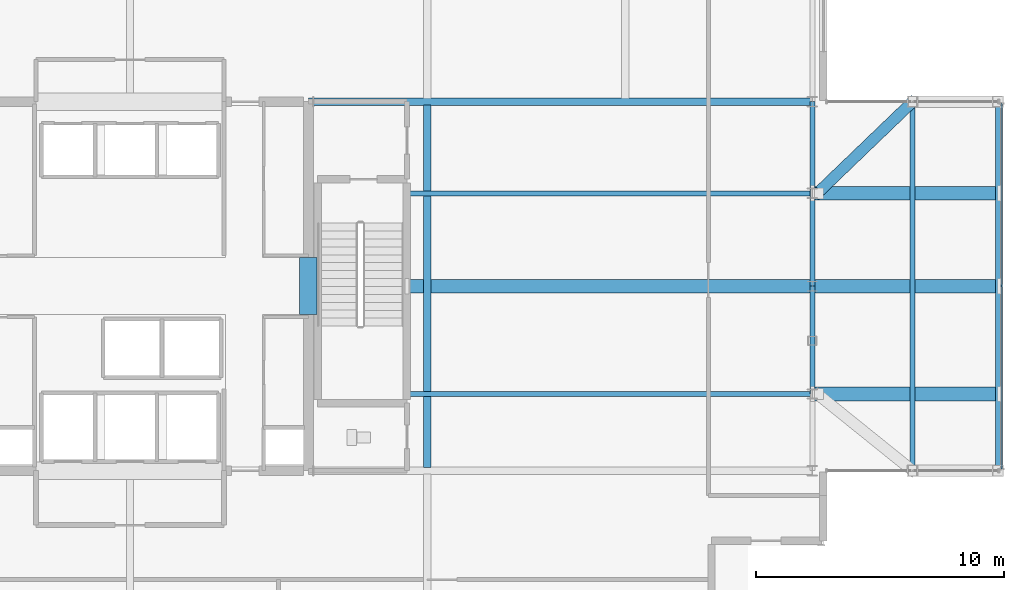
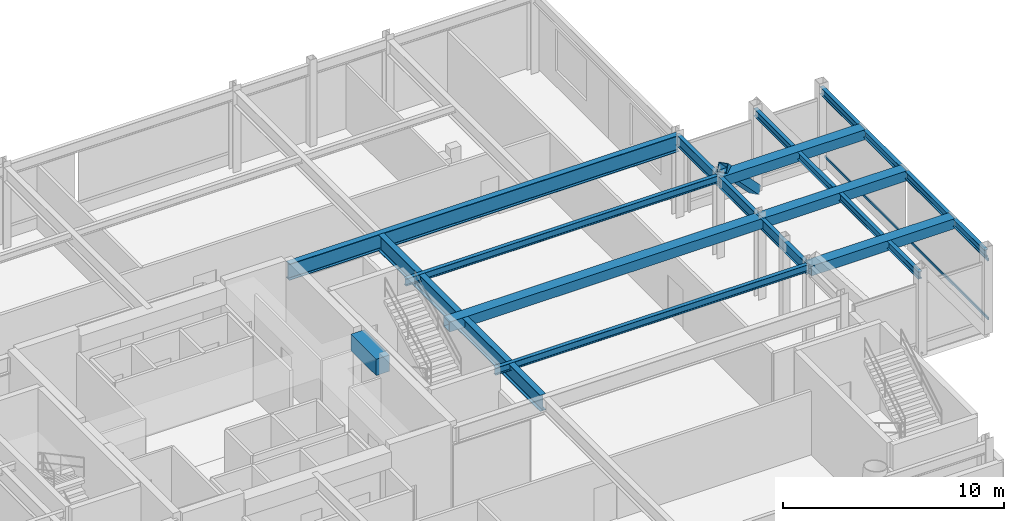
# One storey, part 11 of 26: 14 beams, 5 members, 1 element without a shape of its own.
"""IFC4 building model written with IfcOpenShell, lengths in metres."""

from ifc_helpers import new_model, si_unit, direction, frame, origin, origin_2d, place, context, subcontext, project, spatial, rectangle, hollow_rectangle, i_section, extrude, material, layer, layer_set, material_profile, profile_set, type_object, element, aggregate, save


model = new_model("IFC4")

# Units and contexts
model_context = context("Model", 3, precision=1e-05, world=origin(), true_north=direction((0.0, 1.0)))
body_context = subcontext(model_context, "Body", "Model", "MODEL_VIEW")
ifc_project = project(units=[si_unit("LENGTHUNIT", "METRE"), si_unit("AREAUNIT", "SQUARE_METRE"), si_unit("VOLUMEUNIT", "CUBIC_METRE"), si_unit("PLANEANGLEUNIT", "RADIAN"), si_unit("MASSUNIT", "GRAM", prefix="KILO")], contexts=[model_context])

# Site, building, storey
site_placement = place(None, origin())
site = spatial("IfcSite", under=ifc_project, at=site_placement, CompositionType="ELEMENT")
building_placement = place(site_placement, origin())
building = spatial("IfcBuilding", under=site, at=building_placement, Name="Veldorina Hangang Commons", CompositionType="ELEMENT")
storey_placement = place(building_placement, frame((0.0, 0.0, 5.199951171875)))
storey = spatial("IfcBuildingStorey", under=building, at=storey_placement, Name="L01", CompositionType="ELEMENT", Elevation=5.199951171875)

# Beams
ifc_material_1 = material(Name="Concrete C70/85", Category="concrete")
ifc_material_profile_1 = material_profile(ifc_material_1, rectangle(XDim=0.699951171875, YDim=0.89990234375, at=origin_2d()), Name="RC-CB-700x900")
ifc_profile_set_1 = profile_set([ifc_material_profile_1], Name="Concrete C70/85")
beam_type_1 = type_object("IfcBeamType", Name="BM-CB900", PredefinedType="LINTEL", material=ifc_profile_set_1)
beam_1_placement = place(storey_placement, frame((39.199951171875, 22.85009765625, 4.050048828125), z_axis=(0.0, 1.0, 0.0), x_axis=(-1.0, 0.0, 0.0)))
element("IfcBeam", 1, at=beam_1_placement, inside=storey, type_object=beam_type_1, Name="L01 E core coupling lintel beam", PredefinedType="LINTEL", context=body_context, shape_type="SweptSolid", body=[
    extrude(rectangle(XDim=0.699951171875, YDim=0.89990234375, at=origin_2d()), origin(), (0.0, 0.0, 1.0), 2.2998046875),
])
ifc_material_2 = material(Name="Steel SM420-TMC", Category="steel")
ifc_material_profile_2 = material_profile(ifc_material_2, hollow_rectangle(XDim=0.550048828125, YDim=0.550048828125, WallThickness=0.02490234375, at=origin_2d()), Name="BOX-550x550x25")
ifc_profile_set_2 = profile_set([ifc_material_profile_2], Name="Steel SM420-TMC")
beam_type_2 = type_object("IfcBeamType", Name="BM-CNT550", PredefinedType="BEAM", material=ifc_profile_set_2)
beam_2_placement = place(storey_placement, frame((59.550048828125, 19.64990234375, 4.22509765625), z_axis=(1.0, 0.0, 0.0), x_axis=(0.0, 1.0, 0.0)))
element("IfcBeam", 2, at=beam_2_placement, inside=storey, type_object=beam_type_2, Name="L01 lounge cantilever girder S", PredefinedType="BEAM", context=body_context, shape_type="SweptSolid", body=[
    extrude(hollow_rectangle(XDim=0.550048828125, YDim=0.550048828125, WallThickness=0.02490234375, at=origin_2d()), origin(), (0.0, 0.0, 1.0), 7.5),
])
beam_3_placement = place(storey_placement, frame((43.179931640625, 24.0, 4.22509765625), z_axis=(1.0, 0.0, 0.0), x_axis=(0.0, 1.0, 0.0)))
element("IfcBeam", 3, at=beam_3_placement, inside=storey, type_object=beam_type_2, Name="L01 lounge cantilever backspan girder M", PredefinedType="BEAM", context=body_context, shape_type="SweptSolid", body=[
    extrude(hollow_rectangle(XDim=0.550048828125, YDim=0.550048828125, WallThickness=0.02490234375, at=origin_2d()), origin(), (0.0, 0.0, 1.0), 16.3701171875),
])
for number, where, z_axis, x_axis, name in (
    (4, (59.550048828125, 24.0, 4.22509765625), (1.0, 0.0, 0.0), (0.0, 1.0, 0.0), "L01 lounge cantilever girder M"),
    (5, (59.550048828125, 27.75, 4.22509765625), (1.0, 0.0, 0.0), (0.0, 1.0, 0.0), "L01 lounge cantilever girder N"),
):
    element("IfcBeam", number, at=place(storey_placement, frame(where, z_axis=z_axis, x_axis=x_axis)), inside=storey, type_object=beam_type_2, Name=name, PredefinedType="BEAM", context=body_context, shape_type="SweptSolid", body=[
        extrude(hollow_rectangle(XDim=0.550048828125, YDim=0.550048828125, WallThickness=0.02490234375, at=origin_2d()), origin(), (0.0, 0.0, 1.0), 7.5),
    ])
ifc_material_3 = material(Name="Steel SM355-TMC", Category="steel")
ifc_material_profile_3 = material_profile(ifc_material_3, i_section(OverallWidth=0.199951171875, OverallDepth=0.39990234375, WebThickness=0.008056640625, FlangeThickness=0.012939453125, FilletRadius=0.012939453125, at=origin_2d()), Name="H-400x200x8x13")
ifc_profile_set_3 = profile_set([ifc_material_profile_3], Name="Steel SM355-TMC")
beam_type_3 = type_object("IfcBeamType", Name="BM-FG400", PredefinedType="BEAM", material=ifc_profile_set_3)
for number, where, z_axis, x_axis, name in (
    (6, (63.60009765625, 16.550048828125, 4.300048828125), (0.0, 1.0, 0.0), (-1.0, 0.0, 0.0), "L01 lounge cantilever tie beam MID"),
    (7, (67.050048828125, 16.550048828125, 4.300048828125), (0.0, 1.0, 0.0), (-1.0, 0.0, 0.0), "L01 lounge cantilever tie beam TIP"),
):
    element("IfcBeam", number, at=place(storey_placement, frame(where, z_axis=z_axis, x_axis=x_axis)), inside=storey, type_object=beam_type_3, Name=name, PredefinedType="BEAM", context=body_context, shape_type="SweptSolid", body=[
        extrude(i_section(OverallWidth=0.199951171875, OverallDepth=0.39990234375, WebThickness=0.008056640625, FlangeThickness=0.012939453125, FilletRadius=0.012939453125, at=origin_2d()), origin(), (0.0, 0.0, 1.0), 14.89990234375),
    ])
ifc_material_profile_4 = material_profile(ifc_material_3, i_section(OverallWidth=0.199951171875, OverallDepth=0.39990234375, WebThickness=0.008056640625, FlangeThickness=0.012939453125, FilletRadius=0.012939453125, at=origin_2d()), Name="H-400x200x8x13")
ifc_profile_set_4 = profile_set([ifc_material_profile_4], Name="Steel SM355-TMC")
beam_type_4 = type_object("IfcBeamType", Name="BM-JST400", PredefinedType="JOIST", material=ifc_profile_set_4)
for number, where, z_axis, x_axis, name in (
    (8, (43.179931640625, 19.64990234375, 4.300048828125), (1.0, 0.0, 0.0), (0.0, 1.0, 0.0), "L01 east floor joist 1"),
    (9, (43.179931640625, 27.75, 4.300048828125), (1.0, 0.0, 0.0), (0.0, 1.0, 0.0), "L01 east floor joist 3"),
):
    element("IfcBeam", number, at=place(storey_placement, frame(where, z_axis=z_axis, x_axis=x_axis)), inside=storey, type_object=beam_type_4, Name=name, PredefinedType="JOIST", context=body_context, shape_type="SweptSolid", body=[
        extrude(i_section(OverallWidth=0.199951171875, OverallDepth=0.39990234375, WebThickness=0.008056640625, FlangeThickness=0.012939453125, FilletRadius=0.012939453125, at=origin_2d()), origin(), (0.0, 0.0, 1.0), 16.3701171875),
    ])
ifc_material_4 = material(Name="Steel SM460-TMC", Category="steel")
ifc_material_profile_5 = material_profile(ifc_material_4, i_section(OverallWidth=0.300048828125, OverallDepth=0.89990234375, WebThickness=0.01611328125, FlangeThickness=0.028076171875, FilletRadius=0.02197265625, at=origin_2d()), Name="H-900x300x16x28")
ifc_profile_set_5 = profile_set([ifc_material_profile_5], Name="Steel SM460-TMC")
beam_type_5 = type_object("IfcBeamType", Name="BM-PG900", PredefinedType="BEAM", material=ifc_profile_set_5)
beam_4_placement = place(storey_placement, frame((39.199951171875, 31.449951171875, 4.050048828125), z_axis=(1.0, 0.0, 0.0), x_axis=(0.0, 1.0, 0.0)))
element("IfcBeam", 10, at=beam_4_placement, inside=storey, type_object=beam_type_5, Name="L01 east collector girder GF", PredefinedType="BEAM", context=body_context, shape_type="SweptSolid", body=[
    extrude(i_section(OverallWidth=0.300048828125, OverallDepth=0.89990234375, WebThickness=0.01611328125, FlangeThickness=0.028076171875, FilletRadius=0.02197265625, at=origin_2d()), origin(), (0.0, 0.0, 1.0), 20.35009765625),
])
beam_5_placement = place(storey_placement, frame((44.0, 16.68994140625, 4.050048828125), z_axis=(0.0, 1.0, 0.0), x_axis=(-1.0, 0.0, 0.0)))
element("IfcBeam", 11, at=beam_5_placement, inside=storey, type_object=beam_type_5, Name="L01 mid primary girder G7", PredefinedType="BEAM", context=body_context, shape_type="SweptSolid", body=[
    extrude(i_section(OverallWidth=0.300048828125, OverallDepth=0.89990234375, WebThickness=0.01611328125, FlangeThickness=0.028076171875, FilletRadius=0.02197265625, at=origin_2d()), origin(), (0.0, 0.0, 1.0), 14.6201171875),
])
ifc_material_profile_6 = material_profile(ifc_material_2, i_section(OverallWidth=0.199951171875, OverallDepth=0.60009765625, WebThickness=0.010986328125, FlangeThickness=0.01708984375, FilletRadius=0.01806640625, at=origin_2d()), Name="H-600x200x11x17")
ifc_profile_set_6 = profile_set([ifc_material_profile_6], Name="Steel SM420-TMC")
beam_type_6 = type_object("IfcBeamType", Name="BM-SPN600", PredefinedType="SPANDREL", material=ifc_profile_set_6)
beam_6_placement = place(storey_placement, frame((59.550048828125, 19.64990234375, 4.199951171875), z_axis=(0.0, 1.0, 0.0), x_axis=(-1.0, 0.0, 0.0)))
element("IfcBeam", 12, at=beam_6_placement, inside=storey, type_object=beam_type_6, Name="L01 east spandrel beam 3", PredefinedType="SPANDREL", context=body_context, shape_type="SweptSolid", body=[
    extrude(i_section(OverallWidth=0.199951171875, OverallDepth=0.60009765625, WebThickness=0.010986328125, FlangeThickness=0.01708984375, FilletRadius=0.01806640625, at=origin_2d()), origin(), (0.0, 0.0, 1.0), 4.35009765625),
])
beam_7_placement = place(storey_placement, frame((59.550048828125, 24.0, 4.199951171875), z_axis=(0.0, 1.0, 0.0), x_axis=(-1.0, 0.0, 0.0)))
element("IfcBeam", 13, at=beam_7_placement, inside=storey, type_object=beam_type_6, Name="L01 east spandrel beam 4", PredefinedType="SPANDREL", context=body_context, shape_type="SweptSolid", body=[
    extrude(i_section(OverallWidth=0.199951171875, OverallDepth=0.60009765625, WebThickness=0.010986328125, FlangeThickness=0.01708984375, FilletRadius=0.01806640625, at=origin_2d()), origin(), (0.0, 0.0, 1.0), 3.75),
])
beam_8_placement = place(storey_placement, frame((59.550048828125, 27.75, 4.199951171875), z_axis=(0.0, 1.0, 0.0), x_axis=(-1.0, 0.0, 0.0)))
element("IfcBeam", 14, at=beam_8_placement, inside=storey, type_object=beam_type_6, Name="L01 east spandrel beam 5", PredefinedType="SPANDREL", context=body_context, shape_type="SweptSolid", body=[
    extrude(i_section(OverallWidth=0.199951171875, OverallDepth=0.60009765625, WebThickness=0.010986328125, FlangeThickness=0.01708984375, FilletRadius=0.01806640625, at=origin_2d()), origin(), (0.0, 0.0, 1.0), 3.699951171875),
])

# Member
ifc_material_profile_7 = material_profile(ifc_material_2, hollow_rectangle(XDim=0.449951171875, YDim=0.449951171875, WallThickness=0.02197265625, at=origin_2d()), Name="SHS-450x450x22")
ifc_profile_set_7 = profile_set([ifc_material_profile_7], Name="Steel SM420-TMC")
member_type_1 = type_object("IfcMemberType", Name="CNT-SHS450", PredefinedType="BRACE", material=ifc_profile_set_7)
member_1_placement = place(storey_placement, frame((59.75, 27.75, 4.800048828125), z_axis=(0.536220310811, 0.515308738766, -0.668524256871), x_axis=(-0.692907669814, 0.721026324841, 0.0)))
element("IfcMember", 15, at=member_1_placement, inside=storey, type_object=member_type_1, Name="L01 lounge truss diagonal N-D1", PredefinedType="BRACE", context=body_context, shape_type="SweptSolid", body=[
    extrude(hollow_rectangle(XDim=0.449951171875, YDim=0.449951171875, WallThickness=0.02197265625, at=origin_2d()), origin(), (0.0, 0.0, 1.0), 7.18017578125),
])

# Curtain wall, members
ifc_material_5 = material(Name="Glass Low-E Solar Control", Category="glass")
ifc_layer = layer(ifc_material_5, 0.179931640625)
ifc_layer_set = layer_set([ifc_layer], Name="Glass Low-E Solar Control")
curtain_wall_type = type_object("IfcCurtainWallType", Name="CW-SYS-CANT", PredefinedType="NOTDEFINED", material=ifc_layer_set)
curtain_wall_placement = place(storey_placement, origin())
curtain_wall = element("IfcCurtainWall", 16, at=curtain_wall_placement, inside=storey, type_object=curtain_wall_type, Name="L01 unitised curtain wall CW-L01-CANT-E", PredefinedType="NOTDEFINED")
ifc_material_6 = material(Name="Aluminium Anodized AA6063-T6", Category="aluminium")
ifc_material_profile_8 = material_profile(ifc_material_6, hollow_rectangle(XDim=0.06005859375, YDim=0.139892578125, WallThickness=0.00341796875, at=origin_2d()), Name="ALU-RHS-140x60x3.5")
ifc_profile_set_8 = profile_set([ifc_material_profile_8], Name="Aluminium Anodized AA6063-T6")
member_type_2 = type_object("IfcMemberType", Name="CW-TRN-140", PredefinedType="USERDEFINED", material=ifc_profile_set_8)
member_2_placement = place(storey_placement, frame((67.199951171875, 16.6201171875, 0.60009765625), z_axis=(0.0, 1.0, 0.0), x_axis=(-1.0, 0.0, 0.0)))
member_2 = element("IfcMember", 17, at=member_2_placement, type_object=member_type_2, Name="CW-L01-CANT-E facet 1 transom 1", ObjectType="TRANSOM", PredefinedType="USERDEFINED", context=body_context, shape_type="SweptSolid", body=[
    extrude(hollow_rectangle(XDim=0.06005859375, YDim=0.139892578125, WallThickness=0.00341796875, at=origin_2d()), origin(), (0.0, 0.0, 1.0), 7.3798828125),
])
member_3_placement = place(storey_placement, frame((67.199951171875, 16.6201171875, 3.840087890625), z_axis=(0.0, 1.0, 0.0), x_axis=(-1.0, 0.0, 0.0)))
member_3 = element("IfcMember", 18, at=member_3_placement, type_object=member_type_2, Name="CW-L01-CANT-E facet 1 transom 2", ObjectType="TRANSOM", PredefinedType="USERDEFINED", context=body_context, shape_type="SweptSolid", body=[
    extrude(hollow_rectangle(XDim=0.06005859375, YDim=0.139892578125, WallThickness=0.00341796875, at=origin_2d()), origin(), (0.0, 0.0, 1.0), 7.3798828125),
])
member_4_placement = place(storey_placement, frame((67.199951171875, 24.0, 0.60009765625), z_axis=(0.0, 1.0, 0.0), x_axis=(-1.0, 0.0, 0.0)))
member_4 = element("IfcMember", 19, at=member_4_placement, type_object=member_type_2, Name="CW-L01-CANT-E facet 2 transom 1", ObjectType="TRANSOM", PredefinedType="USERDEFINED", context=body_context, shape_type="SweptSolid", body=[
    extrude(hollow_rectangle(XDim=0.06005859375, YDim=0.139892578125, WallThickness=0.00341796875, at=origin_2d()), origin(), (0.0, 0.0, 1.0), 7.3798828125),
])
member_5_placement = place(storey_placement, frame((67.199951171875, 24.0, 3.840087890625), z_axis=(0.0, 1.0, 0.0), x_axis=(-1.0, 0.0, 0.0)))
member_5 = element("IfcMember", 20, at=member_5_placement, type_object=member_type_2, Name="CW-L01-CANT-E facet 2 transom 2", ObjectType="TRANSOM", PredefinedType="USERDEFINED", context=body_context, shape_type="SweptSolid", body=[
    extrude(hollow_rectangle(XDim=0.06005859375, YDim=0.139892578125, WallThickness=0.00341796875, at=origin_2d()), origin(), (0.0, 0.0, 1.0), 7.3798828125),
])
aggregate(curtain_wall, [member_2, member_3, member_4, member_5])

save(model, "model.ifc")
